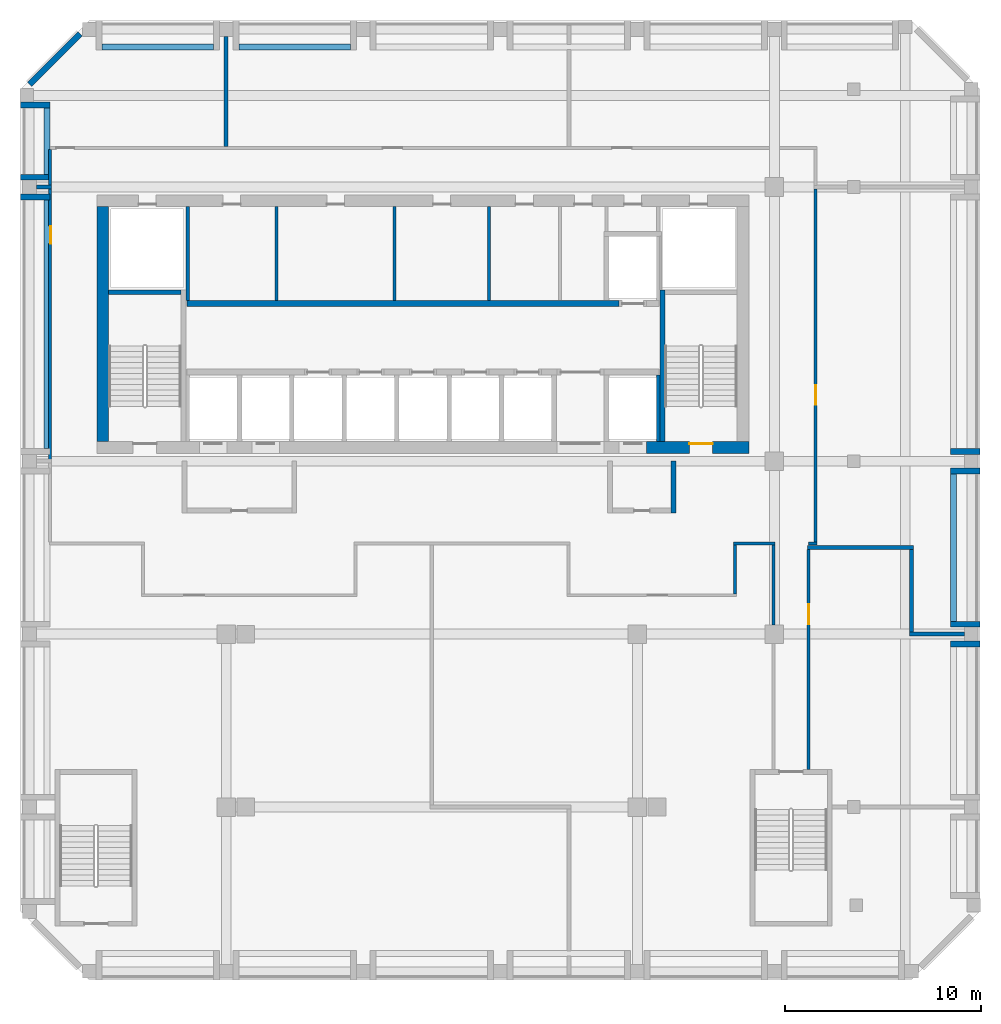
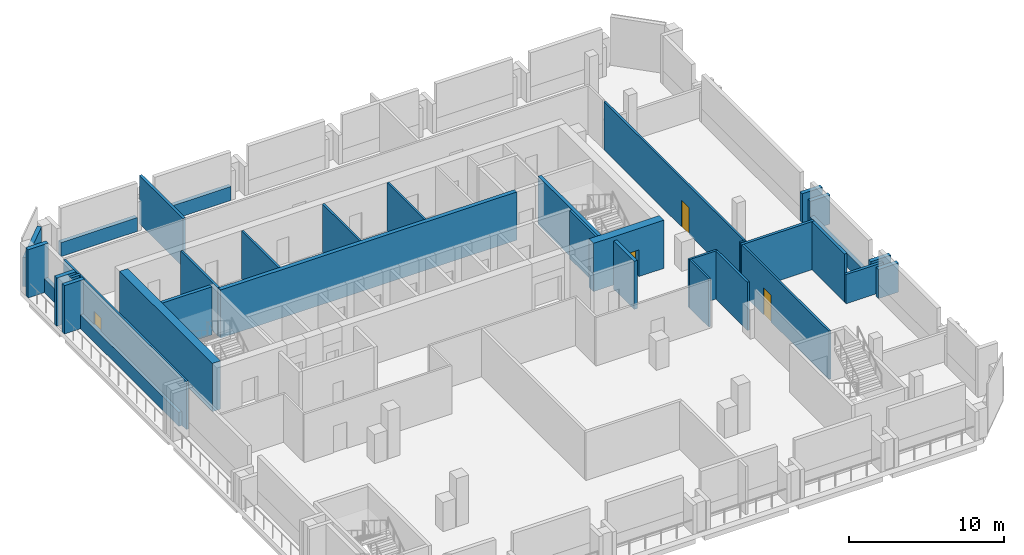
# One storey, part 4 of 7: 37 walls, 4 doors, 4 openings.
"""IFC4 building model written with IfcOpenShell, lengths in metres."""

from ifc_helpers import new_model, si_unit, direction, frame, frame_2d, origin, place, context, subcontext, project, spatial, rectangle, extrude, source, transform, mapped, material, layer, layer_set, type_object, element, fill, save


model = new_model("IFC4")

# Units and contexts
model_context = context("Model", 3, precision=1e-05, world=origin(), true_north=direction((0.0, 1.0)))
body_context = subcontext(model_context, "Body", "Model", "MODEL_VIEW")
ifc_project = project(units=[si_unit("LENGTHUNIT", "METRE"), si_unit("AREAUNIT", "SQUARE_METRE"), si_unit("VOLUMEUNIT", "CUBIC_METRE"), si_unit("PLANEANGLEUNIT", "RADIAN"), si_unit("MASSUNIT", "GRAM", prefix="KILO")], contexts=[model_context])

# Site, building, storey
site_placement = place(None, origin())
site = spatial("IfcSite", under=ifc_project, at=site_placement, CompositionType="ELEMENT")
building_placement = place(site_placement, origin())
building = spatial("IfcBuilding", under=site, at=building_placement, Name="Kilnfold Tower and Market Hall", CompositionType="ELEMENT")
storey_placement = place(building_placement, frame((0.0, 0.0, 262.800048828125)))
storey = spatial("IfcBuildingStorey", under=building, at=storey_placement, Name="L64 Plant Transfer Level", CompositionType="ELEMENT", Elevation=262.800048828125)

# Walls
ifc_material_1 = material(Name="Gypsum board on steel studs", Category="steel")
ifc_layer_1 = layer(ifc_material_1, 0.14990234375)
ifc_layer_set_1 = layer_set([ifc_layer_1], Name="Gypsum board on steel studs")
wall_type_1 = type_object("IfcWallType", Name="WALL CORRIDOR 150", PredefinedType="PARTITIONING", material=ifc_layer_set_1)
wall_1_placement = place(storey_placement, frame((16.97998046875, 1.22509765625, 0.0), z_axis=(0.0, 0.0, 1.0), x_axis=(0.0, 1.0, 0.0)))
element("IfcWall", 1, at=wall_1_placement, inside=storey, type_object=wall_type_1, Name="Partition LY40.7", PredefinedType="PARTITIONING", context=body_context, shape_type="SweptSolid", body=[
    extrude(rectangle(XDim=2.5, YDim=0.14990234375, at=frame_2d((1.25, 0.0))), origin(), (0.0, 0.0, 1.0), 3.800048828125),
])
wall_2_placement = place(storey_placement, frame((18.949951171875, -0.35791015625, 0.0), z_axis=(0.0, 0.0, 1.0), x_axis=(0.0, 1.0, 0.0)))
element("IfcWall", 2, at=wall_2_placement, inside=storey, type_object=wall_type_1, Name="Partition LY40.11", PredefinedType="PARTITIONING", context=body_context, shape_type="SweptSolid", body=[
    extrude(rectangle(XDim=4.0830078125, YDim=0.14990234375, at=frame_2d((2.04150390625, 0.0))), origin(), (0.0, 0.0, 1.0), 3.800048828125),
])
wall_3_placement = place(storey_placement, frame((16.905029296875, 3.800048828125, 0.0), z_axis=(0.0, 0.0, 1.0), x_axis=(1.0, 0.0, 0.0)))
element("IfcWall", 3, at=wall_3_placement, inside=storey, type_object=wall_type_1, Name="Partition LY40.12", PredefinedType="PARTITIONING", context=body_context, shape_type="SweptSolid", body=[
    extrude(rectangle(XDim=2.119873046875, YDim=0.14990234375, at=frame_2d((1.06005859375, 0.0))), origin(), (0.0, 0.0, 1.0), 3.800048828125),
])

# Wall, opening, door
wall_4_placement = place(storey_placement, frame((20.75, -7.75, 0.0), z_axis=(0.0, 0.0, 1.0), x_axis=(0.0, 1.0, 0.0)))
wall_4 = element("IfcWall", 4, at=wall_4_placement, inside=storey, type_object=wall_type_1, Name="Partition LY40.13", PredefinedType="PARTITIONING", context=body_context, shape_type="SweptSolid", body=[
    extrude(rectangle(XDim=11.242919921875, YDim=0.14990234375, at=frame_2d((5.62158203125, 0.0))), origin(), (0.0, 0.0, 1.0), 3.800048828125),
])
opening_1_placement = place(wall_4_placement, frame((7.431884765625, 0.0, 0.0)))
opening_1 = element("IfcOpeningElement", 5, at=opening_1_placement, cuts=wall_4, Name="Opening D4", PredefinedType="OPENING", context=body_context, shape_type="SweptSolid", body=[
    extrude(rectangle(XDim=1.0, YDim=2.10009765625, at=frame_2d((0.5, 1.050048828125))), frame((0.0, 0.0849609375, 0.0), z_axis=(0.0, -1.0, 0.0), x_axis=(1.0, 0.0, 0.0)), (0.0, 0.0, 1.0), 0.169921875),
])
ifc_material_2 = material(Name="Timber veneer door leaf in steel frame", Category="steel")
door_type_1 = type_object("IfcDoorType", Name="DOOR SERVICE 1000 X2100", OperationType="NOTDEFINED", PredefinedType="DOOR", material=ifc_material_2)
door_1_placement = place(opening_1_placement, origin())
door_1 = element("IfcDoor", 6, at=door_1_placement, inside=storey, type_object=door_type_1, Name="Door D4", OperationType="SINGLE_SWING_LEFT", OverallHeight=2.10009765625, OverallWidth=1.0, PredefinedType="DOOR", context=body_context, shape_type="SweptSolid", body=[
    extrude(rectangle(XDim=1.0, YDim=2.10009765625, at=frame_2d((0.5, 1.050048828125))), frame((0.0, 0.02490234375, 0.0), z_axis=(0.0, -1.0, 0.0), x_axis=(1.0, 0.0, 0.0)), (0.0, 0.0, 1.0), 0.050048828125),
])
fill(opening_1, door_1)

wall_5_placement = place(storey_placement, frame((21.10009765625, 3.875, 0.0), z_axis=(0.0, 0.0, 1.0), x_axis=(0.0, 1.0, 0.0)))
wall_5 = element("IfcWall", 7, at=wall_5_placement, inside=storey, type_object=wall_type_1, Name="Partition LY40.14", PredefinedType="PARTITIONING", context=body_context, shape_type="SweptSolid", body=[
    extrude(rectangle(XDim=18.034912109375, YDim=0.14990234375, at=frame_2d((9.017578125, 0.0))), origin(), (0.0, 0.0, 1.0), 3.800048828125),
])
opening_2_placement = place(wall_5_placement, frame((7.013916015625, 0.0, 0.0)))
opening_2 = element("IfcOpeningElement", 8, at=opening_2_placement, cuts=wall_5, Name="Opening D4", PredefinedType="OPENING", context=body_context, shape_type="SweptSolid", body=[
    extrude(rectangle(XDim=1.0, YDim=2.10009765625, at=frame_2d((0.5, 1.050048828125))), frame((0.0, 0.0849609375, 0.0), z_axis=(0.0, -1.0, 0.0), x_axis=(1.0, 0.0, 0.0)), (0.0, 0.0, 1.0), 0.169921875),
])
door_2_placement = place(opening_2_placement, origin())
door_2 = element("IfcDoor", 9, at=door_2_placement, inside=storey, type_object=door_type_1, Name="Door D4", OperationType="SINGLE_SWING_LEFT", OverallHeight=2.10009765625, OverallWidth=1.0, PredefinedType="DOOR", context=body_context, shape_type="SweptSolid", body=[
    extrude(rectangle(XDim=1.0, YDim=2.10009765625, at=frame_2d((0.5, 1.050048828125))), frame((0.0, 0.02490234375, 0.0), z_axis=(0.0, -1.0, 0.0), x_axis=(1.0, 0.0, 0.0)), (0.0, 0.0, 1.0), 0.050048828125),
])
fill(opening_2, door_2)

# Walls
wall_6_placement = place(storey_placement, frame((20.75, 3.800048828125, 0.0), z_axis=(0.0, 0.0, 1.0), x_axis=(1.0, 0.0, 0.0)))
element("IfcWall", 10, at=wall_6_placement, inside=storey, type_object=wall_type_1, Name="Partition LY40.15", PredefinedType="PARTITIONING", context=body_context, shape_type="SweptSolid", body=[
    extrude(rectangle(XDim=0.425048828125, YDim=0.14990234375, at=frame_2d((0.21240234375, 0.0))), origin(), (0.0, 0.0, 1.0), 3.800048828125),
])
wall_7_placement = place(storey_placement, frame((-18.0, 22.090087890625, 0.0), z_axis=(0.0, 0.0, 1.0), x_axis=(0.0, 1.0, 0.0)))
element("IfcWall", 11, at=wall_7_placement, inside=storey, type_object=wall_type_1, Name="Partition LY40.17", PredefinedType="PARTITIONING", context=body_context, shape_type="SweptSolid", body=[
    extrude(rectangle(XDim=1.8349609375, YDim=0.14990234375, at=frame_2d((0.91748046875, 0.0))), origin(), (0.0, 0.0, 1.0), 3.800048828125),
])

# Wall, opening, door
wall_8_placement = place(storey_placement, frame((-18.0, 8.090087890625, 0.0), z_axis=(0.0, 0.0, 1.0), x_axis=(0.0, 1.0, 0.0)))
wall_8 = element("IfcWall", 12, at=wall_8_placement, inside=storey, type_object=wall_type_1, Name="Partition LY40.19", PredefinedType="PARTITIONING", context=body_context, shape_type="SweptSolid", body=[
    extrude(rectangle(XDim=13.81982421875, YDim=0.14990234375, at=frame_2d((6.909912109375, 0.0))), origin(), (0.0, 0.0, 1.0), 3.800048828125),
])
opening_3_placement = place(wall_8_placement, frame((11.01708984375, 0.0, 0.0)))
opening_3 = element("IfcOpeningElement", 13, at=opening_3_placement, cuts=wall_8, Name="Opening D2", PredefinedType="OPENING", context=body_context, shape_type="SweptSolid", body=[
    extrude(rectangle(XDim=0.89990234375, YDim=2.10009765625, at=frame_2d((0.449951171875, 1.050048828125))), frame((0.0, 0.0849609375, 0.0), z_axis=(0.0, -1.0, 0.0), x_axis=(1.0, 0.0, 0.0)), (0.0, 0.0, 1.0), 0.169921875),
])
ifc_material_3 = material(Name="Timber veneer door leaf in steel frame", Category="steel")
door_type_2 = type_object("IfcDoorType", Name="DOOR ROOM 900 X2100", OperationType="NOTDEFINED", PredefinedType="DOOR", material=ifc_material_3)
door_3_placement = place(opening_3_placement, origin())
door_3 = element("IfcDoor", 14, at=door_3_placement, inside=storey, type_object=door_type_2, Name="Door D2", OperationType="SINGLE_SWING_RIGHT", OverallHeight=2.10009765625, OverallWidth=0.89990234375, PredefinedType="DOOR", context=body_context, shape_type="SweptSolid", body=[
    extrude(rectangle(XDim=0.89990234375, YDim=2.10009765625, at=frame_2d((0.449951171875, 1.050048828125))), frame((0.0, -0.0048828125, 0.0), z_axis=(0.0, -1.0, 0.0), x_axis=(1.0, 0.0, 0.0)), (0.0, 0.0, 1.0), 0.050048828125),
])
fill(opening_3, door_3)

# Walls
ifc_material_4 = material(Name="Gypsum board on steel studs", Category="steel")
ifc_layer_2 = layer(ifc_material_4, 0.199951171875)
ifc_layer_set_2 = layer_set([ifc_layer_2], Name="Gypsum board on steel studs")
wall_type_2 = type_object("IfcWallType", Name="WALL PARTY 200", PredefinedType="PARTITIONING", material=ifc_layer_set_2)
wall_9_placement = place(storey_placement, frame((26.0, -0.73291015625, 0.0), z_axis=(0.0, 0.0, 1.0), x_axis=(0.0, 1.0, 0.0)))
element("IfcWall", 15, at=wall_9_placement, inside=storey, type_object=wall_type_2, Name="Partition LY40.26", PredefinedType="PARTITIONING", context=body_context, shape_type="SweptSolid", body=[
    extrude(rectangle(XDim=4.2158203125, YDim=0.199951171875, at=frame_2d((2.10791015625, 0.0))), origin(), (0.0, 0.0, 1.0), 3.800048828125),
])
wall_10_placement = place(storey_placement, frame((28.699951171875, -0.8330078125, 0.0), z_axis=(0.0, 0.0, 1.0), x_axis=(-1.0, 0.0, 0.0)))
element("IfcWall", 16, at=wall_10_placement, inside=storey, type_object=wall_type_2, Name="Partition LY40.27", PredefinedType="PARTITIONING", context=body_context, shape_type="SweptSolid", body=[
    extrude(rectangle(XDim=2.800048828125, YDim=0.199951171875, at=frame_2d((1.39990234375, 0.0))), origin(), (0.0, 0.0, 1.0), 2.300048828125),
])
wall_11_placement = place(storey_placement, frame((26.10009765625, 3.5830078125, 0.0), z_axis=(0.0, 0.0, 1.0), x_axis=(-1.0, 0.0, 0.0)))
element("IfcWall", 17, at=wall_11_placement, inside=storey, type_object=wall_type_2, Name="Partition LY40.28", PredefinedType="PARTITIONING", context=body_context, shape_type="SweptSolid", body=[
    extrude(rectangle(XDim=5.423095703125, YDim=0.199951171875, at=frame_2d((2.71142578125, 0.0))), origin(), (0.0, 0.0, 1.0), 3.800048828125),
])
wall_12_placement = place(storey_placement, frame((-9.0, 29.699951171875, 0.0), z_axis=(0.0, 0.0, 1.0), x_axis=(0.0, -1.0, 0.0)))
element("IfcWall", 18, at=wall_12_placement, inside=storey, type_object=wall_type_2, Name="Partition LY40.32", PredefinedType="PARTITIONING", context=body_context, shape_type="SweptSolid", body=[
    extrude(rectangle(XDim=5.623046875, YDim=0.199951171875, at=frame_2d((2.8115234375, 0.0))), origin(), (0.0, 0.0, 1.0), 3.800048828125),
])
wall_13_placement = place(storey_placement, frame((-18.699951171875, 22.0, 0.0), z_axis=(0.0, 0.0, 1.0), x_axis=(1.0, 0.0, 0.0)))
element("IfcWall", 19, at=wall_13_placement, inside=storey, type_object=wall_type_2, Name="Partition LY40.33", PredefinedType="PARTITIONING", context=body_context, shape_type="SweptSolid", body=[
    extrude(rectangle(XDim=0.77294921875, YDim=0.199951171875, at=frame_2d((0.386474609375, 0.0))), origin(), (0.0, 0.0, 1.0), 3.800048828125),
])
ifc_material_5 = material(Name="Concrete C50", Category="concrete")
ifc_layer_3 = layer(ifc_material_5, 0.25)
ifc_layer_set_3 = layer_set([ifc_layer_3], Name="Concrete C50")
wall_type_3 = type_object("IfcWallType", Name="CORE WALL 250 C50", PredefinedType="SHEAR", material=ifc_layer_set_3)
shared_shape_1 = source(origin(), body_context, "Body", "SweptSolid", [
    extrude(rectangle(XDim=7.75, YDim=0.25, at=frame_2d((3.875, 0.0))), origin(), (0.0, 0.0, 1.0), 3.800048828125),
])
wall_14_placement = place(storey_placement, frame((13.27490234375, 9.0, 0.0), z_axis=(0.0, 0.0, 1.0), x_axis=(0.0, 1.0, 0.0)))
element("IfcWall", 20, at=wall_14_placement, inside=storey, type_object=wall_type_3, Name="Stair enclosure ST2", PredefinedType="SHEAR", context=body_context, shape_type="MappedRepresentation", body=[
    mapped(shared_shape_1, transform((0.0, 0.0, 0.0))),
])
shared_shape_2 = source(origin(), body_context, "Body", "SweptSolid", [
    extrude(rectangle(XDim=3.699951171875, YDim=0.25, at=frame_2d((1.85009765625, 0.0))), origin(), (0.0, 0.0, 1.0), 3.800048828125),
])
wall_15_placement = place(storey_placement, frame((-15.0, 16.625, 0.0), z_axis=(0.0, 0.0, 1.0), x_axis=(1.0, 0.0, 0.0)))
element("IfcWall", 21, at=wall_15_placement, inside=storey, type_object=wall_type_3, Name="Stair enclosure ST1", PredefinedType="SHEAR", context=body_context, shape_type="MappedRepresentation", body=[
    mapped(shared_shape_2, transform((0.0, 0.0, 0.0))),
])

# Wall, opening, door
ifc_material_6 = material(Name="Concrete C50", Category="concrete")
ifc_layer_4 = layer(ifc_material_6, 0.60009765625)
ifc_layer_set_4 = layer_set([ifc_layer_4], Name="Concrete C50")
wall_type_4 = type_object("IfcWallType", Name="CORE WALL 600 C50", PredefinedType="SHEAR", material=ifc_layer_set_4)
shared_shape_3 = source(origin(), body_context, "Body", "SweptSolid", [
    extrude(rectangle(XDim=5.22998046875, YDim=0.60009765625, at=frame_2d((2.614990234375, 0.0))), origin(), (0.0, 0.0, 1.0), 3.800048828125),
])
wall_16_placement = place(storey_placement, frame((12.469970703125, 8.699951171875, 0.0), z_axis=(0.0, 0.0, 1.0), x_axis=(1.0, 0.0, 0.0)))
wall_16 = element("IfcWall", 22, at=wall_16_placement, inside=storey, type_object=wall_type_4, Name="Core outer wall south", PredefinedType="SHEAR", context=body_context, shape_type="MappedRepresentation", body=[
    mapped(shared_shape_3, transform((0.0, 0.0, 0.0))),
])
opening_4_placement = place(wall_16_placement, frame((2.179931640625, 0.0, 0.0)))
opening_4 = element("IfcOpeningElement", 23, at=opening_4_placement, cuts=wall_16, Name="Opening SD1", PredefinedType="OPENING", context=body_context, shape_type="SweptSolid", body=[
    extrude(rectangle(XDim=1.199951171875, YDim=2.10009765625, at=frame_2d((0.60009765625, 1.050048828125))), frame((0.0, 0.31005859375, 0.0), z_axis=(0.0, -1.0, 0.0), x_axis=(1.0, 0.0, 0.0)), (0.0, 0.0, 1.0), 0.6201171875),
])
ifc_material_7 = material(Name="Steel door set with fire-resisting leaf", Category="steel")
door_type_3 = type_object("IfcDoorType", Name="STAIR FLOOR DOOR 1200X2100", OperationType="NOTDEFINED", PredefinedType="DOOR", material=ifc_material_7)
door_4_placement = place(opening_4_placement, origin())
door_4 = element("IfcDoor", 24, at=door_4_placement, inside=storey, type_object=door_type_3, Name="Exit stair ST2 door", OperationType="DOUBLE_DOOR_SINGLE_SWING", OverallHeight=2.10009765625, OverallWidth=1.199951171875, PredefinedType="DOOR", context=body_context, shape_type="SweptSolid", body=[
    extrude(rectangle(XDim=1.199951171875, YDim=2.10009765625, at=frame_2d((0.60009765625, 1.050048828125))), frame((0.0, 0.205078125, 0.0), z_axis=(0.0, -1.0, 0.0), x_axis=(1.0, 0.0, 0.0)), (0.0, 0.0, 1.0), 0.050048828125),
])
fill(opening_4, door_4)

# Walls
shared_shape_4 = source(origin(), body_context, "Body", "SweptSolid", [
    extrude(rectangle(XDim=12.0, YDim=0.60009765625, at=frame_2d((6.0, 0.0))), origin(), (0.0, 0.0, 1.0), 3.800048828125),
])
wall_17_placement = place(storey_placement, frame((-15.300048828125, 9.0, 0.0), z_axis=(0.0, 0.0, 1.0), x_axis=(0.0, 1.0, 0.0)))
element("IfcWall", 25, at=wall_17_placement, inside=storey, type_object=wall_type_4, Name="Core outer wall west", PredefinedType="SHEAR", context=body_context, shape_type="MappedRepresentation", body=[
    mapped(shared_shape_4, transform((0.0, 0.0, 0.0))),
])
ifc_material_8 = material(Name="Concrete C50", Category="concrete")
ifc_layer_5 = layer(ifc_material_8, 0.300048828125)
ifc_layer_set_5 = layer_set([ifc_layer_5], Name="Concrete C50")
wall_type_5 = type_object("IfcWallType", Name="CORE WALL 300 C50", PredefinedType="SHEAR", material=ifc_layer_set_5)
shared_shape_5 = source(origin(), body_context, "Body", "SweptSolid", [
    extrude(rectangle(XDim=22.080078125, YDim=0.300048828125, at=frame_2d((11.0400390625, 0.0))), origin(), (0.0, 0.0, 1.0), 3.800048828125),
])
wall_18_placement = place(storey_placement, frame((-11.010009765625, 16.050048828125, 0.0), z_axis=(0.0, 0.0, 1.0), x_axis=(1.0, 0.0, 0.0)))
element("IfcWall", 26, at=wall_18_placement, inside=storey, type_object=wall_type_5, Name="Core spine wall", PredefinedType="SHEAR", context=body_context, shape_type="MappedRepresentation", body=[
    mapped(shared_shape_5, transform((0.0, 0.0, 0.0))),
])
ifc_material_9 = material(Name="Precast concrete C50/60", Category="concrete")
ifc_layer_6 = layer(ifc_material_9, 0.300048828125)
ifc_layer_set_6 = layer_set([ifc_layer_6], Name="Precast concrete C50/60")
wall_type_6 = type_object("IfcWallType", Name="PRECAST WALL 300", PredefinedType="SOLIDWALL", material=ifc_layer_set_6)
shared_shape_6 = source(origin(), body_context, "Body", "SweptSolid", [
    extrude(rectangle(XDim=1.5, YDim=0.300048828125, at=frame_2d((0.75, 0.0))), origin(), (0.0, 0.0, 1.0), 2.300048828125),
])
for number, where, z_axis, x_axis, name in (
    (27, (29.5, -1.333251953125, 0.0), (0.0, 0.0, 1.0), (-1.0, 0.0, 0.0), "Plant wall L64 E"),
    (28, (29.5, -0.333251953125, 0.0), (0.0, 0.0, 1.0), (-1.0, 0.0, 0.0), "Plant wall L64 E"),
    (29, (29.5, 7.5, 0.0), (0.0, 0.0, 1.0), (-1.0, 0.0, 0.0), "Plant wall L64 E"),
    (30, (29.5, 8.5, 0.0), (0.0, 0.0, 1.0), (-1.0, 0.0, 0.0), "Plant wall L64 E"),
):
    element("IfcWall", number, at=place(storey_placement, frame(where, z_axis=z_axis, x_axis=x_axis)), inside=storey, type_object=wall_type_6, Name=name, PredefinedType="SOLIDWALL", context=body_context, shape_type="MappedRepresentation", body=[
        mapped(shared_shape_6, transform((0.0, 0.0, 0.0))),
    ])
shared_shape_7 = source(origin(), body_context, "Body", "SweptSolid", [
    extrude(rectangle(XDim=1.5, YDim=0.300048828125, at=frame_2d((0.75, 0.0))), origin(), (0.0, 0.0, 1.0), 3.800048828125),
])
for number, where, z_axis, x_axis, name in (
    (31, (-19.5, 26.181884765625, 0.0), (0.0, 0.0, 1.0), (1.0, 0.0, 0.0), "Plant wall L64 W"),
    (32, (-19.5, 22.5, 0.0), (0.0, 0.0, 1.0), (1.0, 0.0, 0.0), "Plant wall L64 W"),
    (33, (-19.5, 21.5, 0.0), (0.0, 0.0, 1.0), (1.0, 0.0, 0.0), "Plant wall L64 W"),
):
    element("IfcWall", number, at=place(storey_placement, frame(where, z_axis=z_axis, x_axis=x_axis)), inside=storey, type_object=wall_type_6, Name=name, PredefinedType="SOLIDWALL", context=body_context, shape_type="MappedRepresentation", body=[
        mapped(shared_shape_7, transform((0.0, 0.0, 0.0))),
    ])
shared_shape_8 = source(origin(), body_context, "Body", "SweptSolid", [
    extrude(rectangle(XDim=5.7001953125, YDim=0.300048828125, at=frame_2d((2.85009765625, 0.0))), origin(), (0.0, 0.0, 1.0), 1.099853515625),
])
for number, where, z_axis, x_axis, name in (
    (34, (-2.64990234375, 29.14990234375, 0.0), (0.0, 0.0, 1.0), (-1.0, 0.0, 0.0), "Knee wall L64 N"),
    (35, (-9.64990234375, 29.14990234375, 0.0), (0.0, 0.0, 1.0), (-1.0, 0.0, 0.0), "Knee wall L64 N"),
):
    element("IfcWall", number, at=place(storey_placement, frame(where, z_axis=z_axis, x_axis=x_axis)), inside=storey, type_object=wall_type_6, Name=name, PredefinedType="SOLIDWALL", context=body_context, shape_type="MappedRepresentation", body=[
        mapped(shared_shape_8, transform((0.0, 0.0, 0.0))),
    ])
shared_shape_9 = source(origin(), body_context, "Body", "SweptSolid", [
    extrude(rectangle(XDim=3.6416015625, YDim=0.300048828125, at=frame_2d((1.82080078125, 0.0))), origin(), (0.0, 0.0, 1.0), 2.300048828125),
])
wall_19_placement = place(storey_placement, frame((-16.468994140625, 29.81884765625, 0.0), z_axis=(0.0, 0.0, 1.0), x_axis=(-0.707106781187, -0.707106781187, 0.0)))
element("IfcWall", 36, at=wall_19_placement, inside=storey, type_object=wall_type_6, Name="Plant wall L64 NW", PredefinedType="SOLIDWALL", context=body_context, shape_type="MappedRepresentation", body=[
    mapped(shared_shape_9, transform((0.0, 0.0, 0.0))),
])
shared_shape_10 = source(origin(), body_context, "Body", "SweptSolid", [
    extrude(rectangle(XDim=7.533447265625, YDim=0.300048828125, at=frame_2d((3.7666015625, 0.0))), origin(), (0.0, 0.0, 1.0), 1.099853515625),
])
wall_20_placement = place(storey_placement, frame((28.14990234375, -0.183349609375, 0.0), z_axis=(0.0, 0.0, 1.0), x_axis=(0.0, 1.0, 0.0)))
element("IfcWall", 37, at=wall_20_placement, inside=storey, type_object=wall_type_6, Name="Knee wall L64 E", PredefinedType="SOLIDWALL", context=body_context, shape_type="MappedRepresentation", body=[
    mapped(shared_shape_10, transform((0.0, 0.0, 0.0))),
])
shared_shape_11 = source(origin(), body_context, "Body", "SweptSolid", [
    extrude(rectangle(XDim=12.7001953125, YDim=0.300048828125, at=frame_2d((6.35009765625, 0.0))), origin(), (0.0, 0.0, 1.0), 1.099853515625),
])
wall_21_placement = place(storey_placement, frame((-18.14990234375, 21.35009765625, 0.0), z_axis=(0.0, 0.0, 1.0), x_axis=(0.0, -1.0, 0.0)))
element("IfcWall", 38, at=wall_21_placement, inside=storey, type_object=wall_type_6, Name="Knee wall L64 W", PredefinedType="SOLIDWALL", context=body_context, shape_type="MappedRepresentation", body=[
    mapped(shared_shape_11, transform((0.0, 0.0, 0.0))),
])
shared_shape_12 = source(origin(), body_context, "Body", "SweptSolid", [
    extrude(rectangle(XDim=3.3818359375, YDim=0.300048828125, at=frame_2d((1.69091796875, 0.0))), origin(), (0.0, 0.0, 1.0), 1.099853515625),
])
wall_22_placement = place(storey_placement, frame((-18.14990234375, 26.03173828125, 0.0), z_axis=(0.0, 0.0, 1.0), x_axis=(0.0, -1.0, 0.0)))
element("IfcWall", 39, at=wall_22_placement, inside=storey, type_object=wall_type_6, Name="Knee wall L64 W", PredefinedType="SOLIDWALL", context=body_context, shape_type="MappedRepresentation", body=[
    mapped(shared_shape_12, transform((0.0, 0.0, 0.0))),
])
ifc_material_10 = material(Name="Gypsum shaft wall system")
ifc_layer_7 = layer(ifc_material_10, 0.25)
ifc_layer_set_7 = layer_set([ifc_layer_7], Name="Gypsum shaft wall system")
wall_type_7 = type_object("IfcWallType", Name="LOBBY WALL 250", PredefinedType="PARTITIONING", material=ifc_layer_set_7)
shared_shape_13 = source(origin(), body_context, "Body", "SweptSolid", [
    extrude(rectangle(XDim=2.64990234375, YDim=0.25, at=frame_2d((1.324951171875, 0.0))), origin(), (0.0, 0.0, 1.0), 3.800048828125),
])
wall_23_placement = place(storey_placement, frame((13.85498046875, 5.35009765625, 0.0), z_axis=(0.0, 0.0, 1.0), x_axis=(0.0, 1.0, 0.0)))
element("IfcWall", 40, at=wall_23_placement, inside=storey, type_object=wall_type_7, Name="Firefighting lobby wall", PredefinedType="PARTITIONING", context=body_context, shape_type="MappedRepresentation", body=[
    mapped(shared_shape_13, transform((0.0, 0.0, 0.0))),
])
ifc_material_11 = material(Name="Gypsum shaft wall system")
ifc_layer_8 = layer(ifc_material_11, 0.1650390625)
ifc_layer_set_8 = layer_set([ifc_layer_8], Name="Gypsum shaft wall system")
wall_type_8 = type_object("IfcWallType", Name="SHAFT WALL 165", PredefinedType="PARTITIONING", material=ifc_layer_set_8)
shared_shape_14 = source(origin(), body_context, "Body", "SweptSolid", [
    extrude(rectangle(XDim=3.39990234375, YDim=0.1650390625, at=frame_2d((1.699951171875, 0.0))), origin(), (0.0, 0.0, 1.0), 3.800048828125),
])
wall_24_placement = place(storey_placement, frame((13.0673828125, 9.0, 0.0), z_axis=(0.0, 0.0, 1.0), x_axis=(0.0, 1.0, 0.0)))
element("IfcWall", 41, at=wall_24_placement, inside=storey, type_object=wall_type_8, Name="Lift shaft wall", PredefinedType="PARTITIONING", context=body_context, shape_type="MappedRepresentation", body=[
    mapped(shared_shape_14, transform((0.0, 0.0, 0.0))),
])
shared_shape_15 = source(origin(), body_context, "Body", "SweptSolid", [
    extrude(rectangle(XDim=4.800048828125, YDim=0.1650390625, at=frame_2d((2.39990234375, 0.0))), origin(), (0.0, 0.0, 1.0), 3.800048828125),
])
wall_25_placement = place(storey_placement, frame((-10.967529296875, 16.199951171875, 0.0), z_axis=(0.0, 0.0, 1.0), x_axis=(0.0, 1.0, 0.0)))
element("IfcWall", 42, at=wall_25_placement, inside=storey, type_object=wall_type_8, Name="Lift shaft wall", PredefinedType="PARTITIONING", context=body_context, shape_type="MappedRepresentation", body=[
    mapped(shared_shape_15, transform((0.0, 0.0, 0.0))),
])
ifc_material_12 = material(Name="Gypsum shaft wall system")
ifc_layer_9 = layer(ifc_material_12, 0.14990234375)
ifc_layer_set_9 = layer_set([ifc_layer_9], Name="Gypsum shaft wall system")
wall_type_9 = type_object("IfcWallType", Name="ROOM WALL 150", PredefinedType="PARTITIONING", material=ifc_layer_set_9)
shared_shape_16 = source(origin(), body_context, "Body", "SweptSolid", [
    extrude(rectangle(XDim=4.800048828125, YDim=0.14990234375, at=frame_2d((2.39990234375, 0.0))), origin(), (0.0, 0.0, 1.0), 3.800048828125),
])
for number, where, z_axis, x_axis, name in (
    (43, (-6.42724609375, 16.199951171875, 0.0), (0.0, 0.0, 1.0), (0.0, 1.0, 0.0), "Core room wall"),
    (44, (-0.397216796875, 16.199951171875, 0.0), (0.0, 0.0, 1.0), (0.0, 1.0, 0.0), "Core room wall"),
    (45, (4.4267578125, 16.199951171875, 0.0), (0.0, 0.0, 1.0), (0.0, 1.0, 0.0), "Core room wall"),
):
    element("IfcWall", number, at=place(storey_placement, frame(where, z_axis=z_axis, x_axis=x_axis)), inside=storey, type_object=wall_type_9, Name=name, PredefinedType="PARTITIONING", context=body_context, shape_type="MappedRepresentation", body=[
        mapped(shared_shape_16, transform((0.0, 0.0, 0.0))),
    ])

save(model, "model.ifc")
